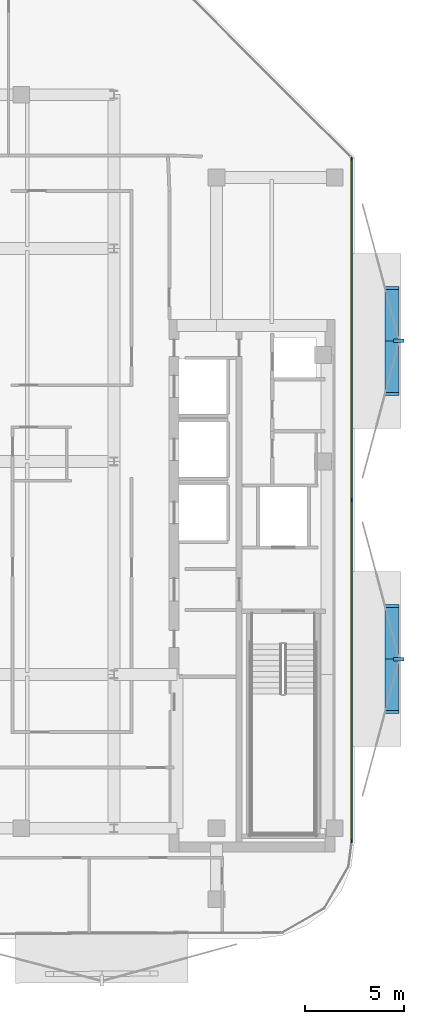
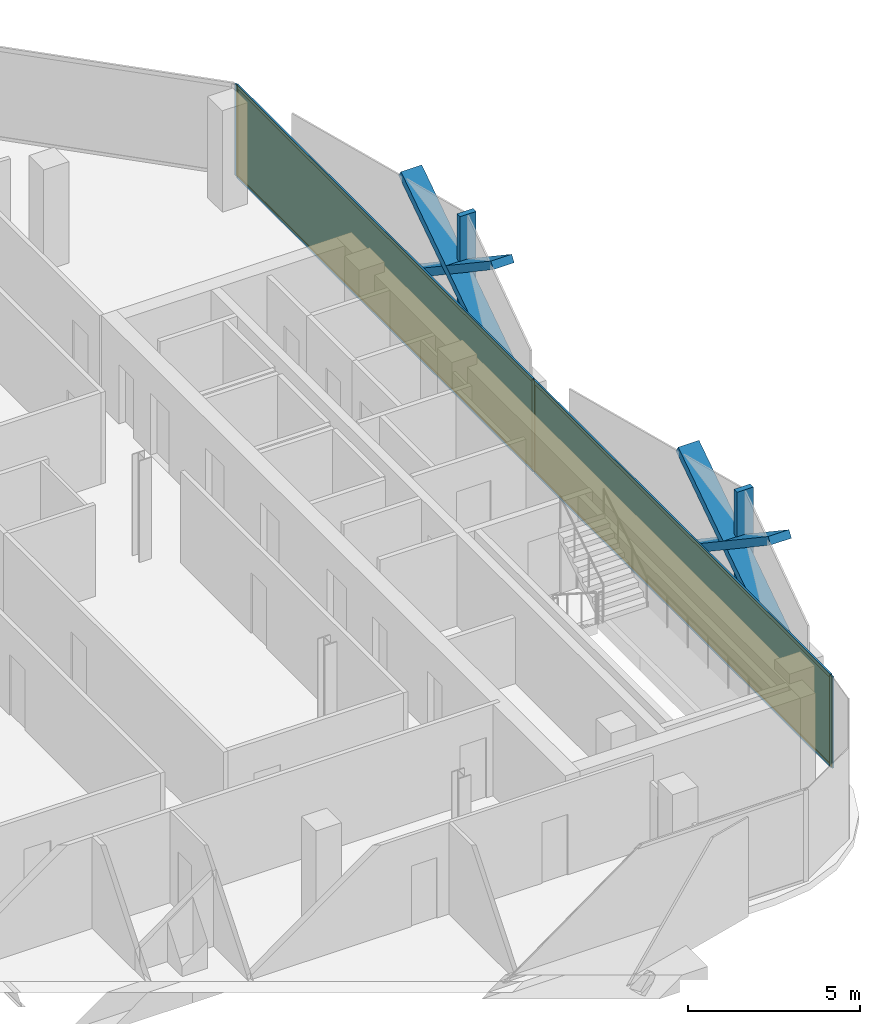
# One storey, part 9 of 15: 13 members, 2 plates, 1 curtain wall.
"""IFC4 building model written with IfcOpenShell, lengths in metres."""

from ifc_helpers import new_model, si_unit, direction, frame, frame_2d, origin, origin_2d, place, context, subcontext, project, spatial, rectangle, extrude, material, layer, layer_set, material_profile, profile_set, type_object, element, aggregate, save


model = new_model("IFC4")

# Units and contexts
model_context = context("Model", 3, precision=1e-05, world=origin(), true_north=direction((0.0, 1.0)))
body_context = subcontext(model_context, "Body", "Model", "MODEL_VIEW")
ifc_project = project(units=[si_unit("LENGTHUNIT", "METRE"), si_unit("AREAUNIT", "SQUARE_METRE"), si_unit("VOLUMEUNIT", "CUBIC_METRE"), si_unit("PLANEANGLEUNIT", "RADIAN"), si_unit("MASSUNIT", "GRAM", prefix="KILO")], contexts=[model_context])

# Member
ifc_material_1 = material(Name="Anodised Bronze Aluminium 6063-T6", Category="aluminium")
ifc_material_profile_1 = material_profile(ifc_material_1, rectangle(XDim=0.260009765625, YDim=0.699951171875, at=origin_2d()))
ifc_profile_set_1 = profile_set([ifc_material_profile_1], Name="Anodised Bronze Aluminium 6063-T6")
member_type_1 = type_object("IfcMemberType", Name="Bronze Diamond Solar-Screen Lattice Rib BDL-700", PredefinedType="MULLION", material=ifc_profile_set_1)
site_placement = place(None, origin())
building_placement = place(site_placement, origin())
storey_placement = place(building_placement, frame((0.0, 0.0, 269.199951171875)))
member_1_placement = place(storey_placement, frame((23.300048828125, 8.80322265625, -0.1298828125), z_axis=(0.0, -0.831056625297, 0.556187814996), x_axis=(0.0, -0.556187814996, -0.831056625297)))
member_1 = element("IfcMember", 1, at=member_1_placement, type_object=member_type_1, Name="L64 Bronze Diamond Solar Screen Lattice Rib 447A", PredefinedType="MULLION", context=body_context, shape_type="SweptSolid", body=[
    extrude(rectangle(XDim=0.260009765625, YDim=0.699951171875, at=origin_2d()), origin(), (0.0, 0.0, 1.0), 6.472412109375),
])

member_2_placement = place(storey_placement, frame((23.300048828125, 3.42431640625, -0.1298828125), z_axis=(0.0, 0.831056625297, 0.556187814996), x_axis=(0.0, 0.556187814996, -0.831056625297)))
member_2 = element("IfcMember", 2, at=member_2_placement, type_object=member_type_1, Name="L64 Bronze Diamond Solar Screen Lattice Rib 447B", PredefinedType="MULLION", context=body_context, shape_type="SweptSolid", body=[
    extrude(rectangle(XDim=0.260009765625, YDim=0.699951171875, at=origin_2d()), origin(), (0.0, 0.0, 1.0), 6.472412109375),
])

member_3_placement = place(storey_placement, frame((23.300048828125, -7.333251953125, -0.1298828125), z_axis=(0.0, -0.831044956124, 0.556205250695), x_axis=(0.0, -0.556205250695, -0.831044956124)))
member_3 = element("IfcMember", 3, at=member_3_placement, type_object=member_type_1, Name="L64 Bronze Diamond Solar Screen Lattice Rib 448A", PredefinedType="MULLION", context=body_context, shape_type="SweptSolid", body=[
    extrude(rectangle(XDim=0.260009765625, YDim=0.699951171875, at=origin_2d()), origin(), (0.0, 0.0, 1.0), 6.47216796875),
])

member_4_placement = place(storey_placement, frame((23.300048828125, -12.7119140625, -0.1298828125), z_axis=(0.0, 0.831044956124, 0.556205250695), x_axis=(0.0, 0.556205250695, -0.831044956124)))
member_4 = element("IfcMember", 4, at=member_4_placement, type_object=member_type_1, Name="L64 Bronze Diamond Solar Screen Lattice Rib 448B", PredefinedType="MULLION", context=body_context, shape_type="SweptSolid", body=[
    extrude(rectangle(XDim=0.260009765625, YDim=0.699951171875, at=origin_2d()), origin(), (0.0, 0.0, 1.0), 6.47216796875),
])

ifc_material_2 = material(Name="Anodised Bronze Aluminium 6063-T6", Category="aluminium")
ifc_material_profile_2 = material_profile(ifc_material_2, rectangle(XDim=0.179931640625, YDim=0.5400390625, at=origin_2d()))
ifc_profile_set_2 = profile_set([ifc_material_profile_2], Name="Anodised Bronze Aluminium 6063-T6")
member_type_2 = type_object("IfcMemberType", Name="Bronze Solar-Screen Vertical Fold Fin BSF-540", PredefinedType="MULLION", material=ifc_profile_set_2)
member_5_placement = place(storey_placement, frame((23.639892578125, 6.11376953125, -0.1298828125), z_axis=(0.0, 0.0, 1.0), x_axis=(0.0, -1.0, 0.0)))
member_5 = element("IfcMember", 5, at=member_5_placement, type_object=member_type_2, Name="L64 Bronze Solar Screen Vertical Fin 447", PredefinedType="MULLION", context=body_context, shape_type="SweptSolid", body=[
    extrude(rectangle(XDim=0.179931640625, YDim=0.5400390625, at=origin_2d()), origin(), (0.0, 0.0, 1.0), 3.599853515625),
])

member_6_placement = place(storey_placement, frame((23.639892578125, -10.022705078125, -0.1298828125), z_axis=(0.0, 0.0, 1.0), x_axis=(0.0, -1.0, 0.0)))
member_6 = element("IfcMember", 6, at=member_6_placement, type_object=member_type_2, Name="L64 Bronze Solar Screen Vertical Fin 448", PredefinedType="MULLION", context=body_context, shape_type="SweptSolid", body=[
    extrude(rectangle(XDim=0.179931640625, YDim=0.5400390625, at=origin_2d()), origin(), (0.0, 0.0, 1.0), 3.599853515625),
])

ifc_material_3 = material(Name="Anodised Bronze Aluminium 6063-T6", Category="aluminium")
ifc_material_profile_3 = material_profile(ifc_material_3, rectangle(XDim=0.06005859375, YDim=0.159912109375, at=origin_2d()))
ifc_profile_set_3 = profile_set([ifc_material_profile_3], Name="Anodised Bronze Aluminium 6063-T6")
member_type_3 = type_object("IfcMemberType", Name="CW-Z4 Mullion 60x160", PredefinedType="MULLION", material=ifc_profile_set_3)
member_7_placement = place(storey_placement, frame((21.260009765625, 15.35205078125, 0.0), z_axis=(0.0, 0.0, 1.0), x_axis=(1.0, 0.0, 0.0)))
member_7 = element("IfcMember", 7, at=member_7_placement, type_object=member_type_3, Name="CW-Z4 mullion 1", PredefinedType="MULLION", context=body_context, shape_type="SweptSolid", body=[
    extrude(rectangle(XDim=0.06005859375, YDim=0.159912109375, at=origin_2d()), origin(), (0.0, 0.0, 1.0), 3.25),
])

member_8_placement = place(storey_placement, frame((21.260009765625, -1.954345703125, 0.0), z_axis=(0.0, 0.0, 1.0), x_axis=(1.0, 0.0, 0.0)))
member_8 = element("IfcMember", 8, at=member_8_placement, type_object=member_type_3, Name="CW-Z4 mullion 2", PredefinedType="MULLION", context=body_context, shape_type="SweptSolid", body=[
    extrude(rectangle(XDim=0.06005859375, YDim=0.159912109375, at=origin_2d()), origin(), (0.0, 0.0, 1.0), 3.25),
])

member_9_placement = place(storey_placement, frame((21.260009765625, -19.2607421875, 0.0), z_axis=(0.0, 0.0, 1.0), x_axis=(1.0, 0.0, 0.0)))
member_9 = element("IfcMember", 9, at=member_9_placement, type_object=member_type_3, Name="CW-Z4 mullion 3", PredefinedType="MULLION", context=body_context, shape_type="SweptSolid", body=[
    extrude(rectangle(XDim=0.06005859375, YDim=0.159912109375, at=origin_2d()), origin(), (0.0, 0.0, 1.0), 3.25),
])

ifc_material_4 = material(Name="Anodised Bronze Aluminium 6063-T6", Category="aluminium")
ifc_material_profile_4 = material_profile(ifc_material_4, rectangle(XDim=0.06005859375, YDim=0.125, at=origin_2d()))
ifc_profile_set_4 = profile_set([ifc_material_profile_4], Name="Anodised Bronze Aluminium 6063-T6")
member_type_4 = type_object("IfcMemberType", Name="CW-Z4 Transom 60x125", PredefinedType="USERDEFINED", material=ifc_profile_set_4)
member_10_placement = place(storey_placement, frame((21.260009765625, 15.322021484375, 0.030029296875), z_axis=(0.0, -1.0, 0.0), x_axis=(1.0, 0.0, 0.0)))
member_10 = element("IfcMember", 10, at=member_10_placement, type_object=member_type_4, Name="CW-Z4 transom 1.1", ObjectType="TRANSOM", PredefinedType="USERDEFINED", context=body_context, shape_type="SweptSolid", body=[
    extrude(rectangle(XDim=0.06005859375, YDim=0.125, at=origin_2d()), origin(), (0.0, 0.0, 1.0), 17.246337890625),
])

member_11_placement = place(storey_placement, frame((21.260009765625, 15.322021484375, 3.219970703125), z_axis=(0.0, -1.0, 0.0), x_axis=(1.0, 0.0, 0.0)))
member_11 = element("IfcMember", 11, at=member_11_placement, type_object=member_type_4, Name="CW-Z4 transom 1.2", ObjectType="TRANSOM", PredefinedType="USERDEFINED", context=body_context, shape_type="SweptSolid", body=[
    extrude(rectangle(XDim=0.06005859375, YDim=0.125, at=origin_2d()), origin(), (0.0, 0.0, 1.0), 17.246337890625),
])

member_12_placement = place(storey_placement, frame((21.260009765625, -1.984375, 0.030029296875), z_axis=(0.0, -1.0, 0.0), x_axis=(1.0, 0.0, 0.0)))
member_12 = element("IfcMember", 12, at=member_12_placement, type_object=member_type_4, Name="CW-Z4 transom 2.1", ObjectType="TRANSOM", PredefinedType="USERDEFINED", context=body_context, shape_type="SweptSolid", body=[
    extrude(rectangle(XDim=0.06005859375, YDim=0.125, at=origin_2d()), origin(), (0.0, 0.0, 1.0), 17.246337890625),
])

member_13_placement = place(storey_placement, frame((21.260009765625, -1.984375, 3.219970703125), z_axis=(0.0, -1.0, 0.0), x_axis=(1.0, 0.0, 0.0)))
member_13 = element("IfcMember", 13, at=member_13_placement, type_object=member_type_4, Name="CW-Z4 transom 2.2", ObjectType="TRANSOM", PredefinedType="USERDEFINED", context=body_context, shape_type="SweptSolid", body=[
    extrude(rectangle(XDim=0.06005859375, YDim=0.125, at=origin_2d()), origin(), (0.0, 0.0, 1.0), 17.246337890625),
])

# Plate
ifc_material_5 = material(Name="Low-E Solar Control Laminated Glass", Category="glass")
ifc_layer_1 = layer(ifc_material_5, 0.030029296875, Name="Low-E Solar Control Laminated Glass")
ifc_layer_set_1 = layer_set([ifc_layer_1], Name="Low-E Solar Control Laminated Glass")
plate_type = type_object("IfcPlateType", Name="CW-Z4 Low-E Double Glazed Panel 30mm", PredefinedType="CURTAIN_PANEL", material=ifc_layer_set_1)
plate_1_placement = place(storey_placement, frame((21.260009765625, 6.69873046875, 0.06005859375), z_axis=(0.0, 0.0, 1.0), x_axis=(0.0, -1.0, 0.0)))
plate_1 = element("IfcPlate", 14, at=plate_1_placement, type_object=plate_type, Name="CW-Z4 panel 1.1", PredefinedType="CURTAIN_PANEL", context=body_context, shape_type="SweptSolid", body=[
    extrude(rectangle(XDim=17.246337890625, YDim=0.030029296875, at=origin_2d()), origin(), (0.0, 0.0, 1.0), 3.1298828125),
])

plate_2_placement = place(storey_placement, frame((21.260009765625, -10.607666015625, 0.06005859375), z_axis=(0.0, 0.0, 1.0), x_axis=(0.0, -1.0, 0.0)))
plate_2 = element("IfcPlate", 15, at=plate_2_placement, type_object=plate_type, Name="CW-Z4 panel 2.1", PredefinedType="CURTAIN_PANEL", context=body_context, shape_type="SweptSolid", body=[
    extrude(rectangle(XDim=17.246337890625, YDim=0.030029296875, at=origin_2d()), origin(), (0.0, 0.0, 1.0), 3.1298828125),
])

# Site, building, storey
site = spatial("IfcSite", under=ifc_project, at=site_placement, CompositionType="ELEMENT")
building = spatial("IfcBuilding", under=site, at=building_placement, Name="Khairoan Windgate Tower", CompositionType="ELEMENT")
storey = spatial("IfcBuildingStorey", under=building, at=storey_placement, Name="L64", CompositionType="ELEMENT", Elevation=269.199951171875)

# Curtain wall
ifc_material_6 = material(Name="Anodised Bronze Aluminium 6063-T6", Category="aluminium")
ifc_layer_2 = layer(ifc_material_6, 0.159912109375, Name="Anodised Bronze Aluminium 6063-T6")
ifc_layer_set_2 = layer_set([ifc_layer_2], Name="Anodised Bronze Aluminium 6063-T6")
curtain_wall_type = type_object("IfcCurtainWallType", Name="Sky Residence Unitised Curtain Wall CW-Z4", PredefinedType="NOTDEFINED", material=ifc_layer_set_2)
curtain_wall_placement = place(storey_placement, frame((21.260009765625, 15.382080078125, 0.0), z_axis=(0.0, 0.0, 1.0), x_axis=(0.0, -1.0, 0.0)))
curtain_wall = element("IfcCurtainWall", 16, at=curtain_wall_placement, inside=storey, type_object=curtain_wall_type, Name="L64 Unitised Curtain Wall 11", PredefinedType="NOTDEFINED", context=body_context, shape_type="SweptSolid", body=[
    extrude(rectangle(XDim=34.6728515625, YDim=0.010009765625, at=frame_2d((17.33642578125, 0.0))), origin(), (0.0, 0.0, 1.0), 3.25),
])

aggregate(curtain_wall, [member_7, member_8, member_9, member_10, member_11, plate_1, member_12, member_13, plate_2, member_1, member_2, member_5, member_3, member_4, member_6])

save(model, "model.ifc")
